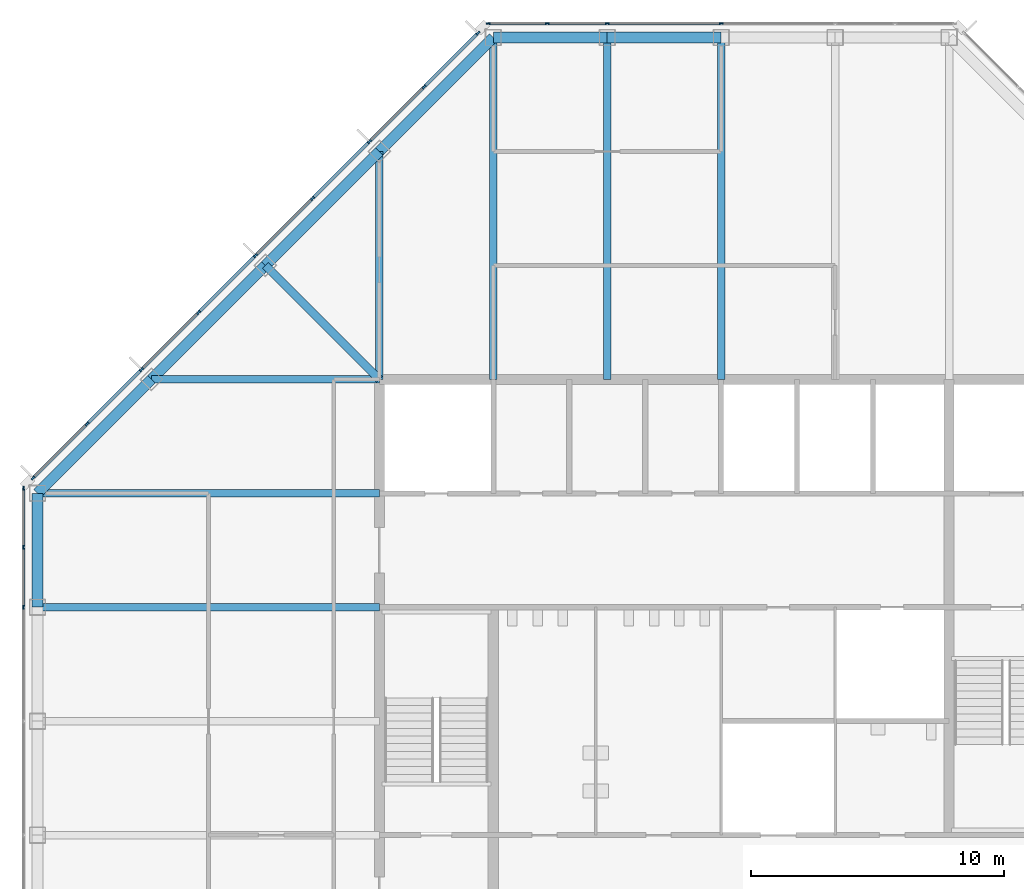
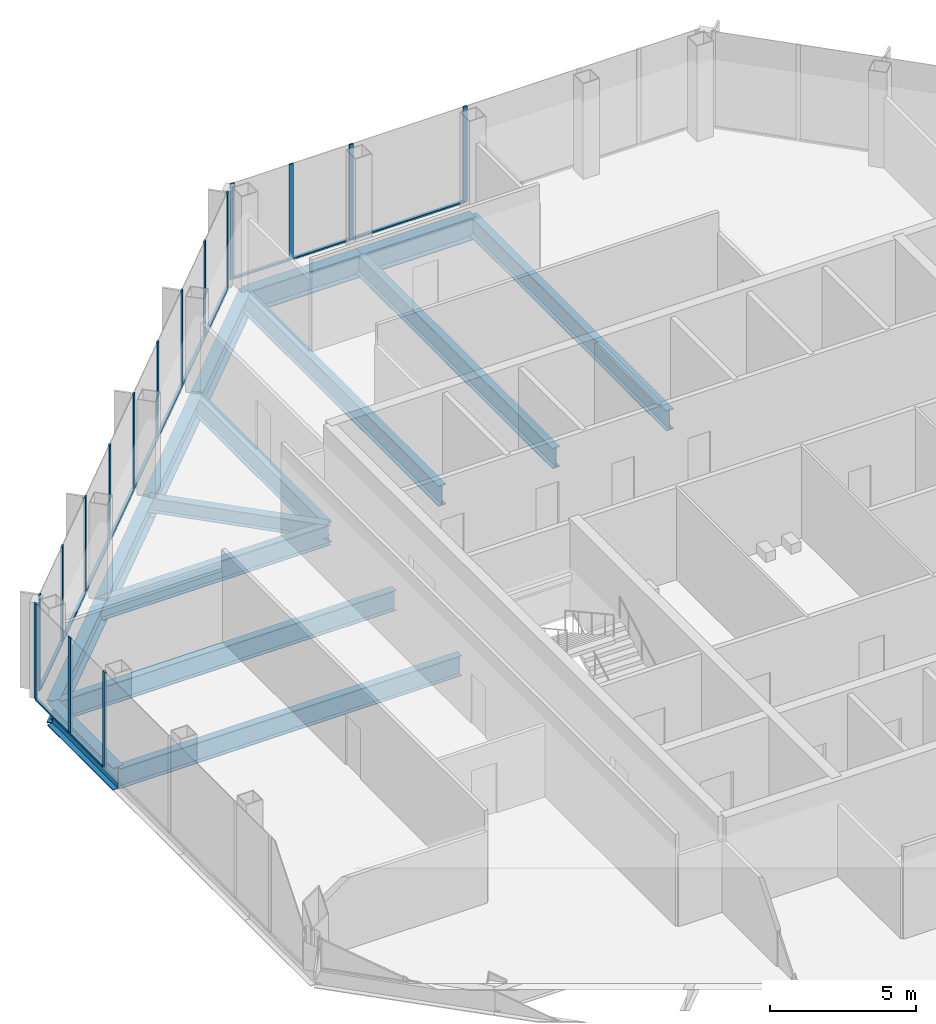
# One storey, part 6 of 13: 29 members, 15 beams, 3 elements without a shape of their own.
"""IFC4 building model written with IfcOpenShell, lengths in metres."""

from ifc_helpers import new_model, si_unit, direction, frame, origin, origin_2d, place, context, subcontext, project, spatial, rectangle, i_section, extrude, material, material_profile, profile_set, type_object, element, aggregate, save


model = new_model("IFC4")

# Units and contexts
model_context = context("Model", 3, precision=1e-05, world=origin(), true_north=direction((0.0, 1.0)))
body_context = subcontext(model_context, "Body", "Model", "MODEL_VIEW")
ifc_project = project(units=[si_unit("LENGTHUNIT", "METRE"), si_unit("AREAUNIT", "SQUARE_METRE"), si_unit("VOLUMEUNIT", "CUBIC_METRE"), si_unit("PLANEANGLEUNIT", "RADIAN"), si_unit("MASSUNIT", "GRAM", prefix="KILO")], contexts=[model_context])

# Site, building, storey
site_placement = place(None, origin())
site = spatial("IfcSite", under=ifc_project, at=site_placement, CompositionType="ELEMENT")
building_placement = place(site_placement, origin())
building = spatial("IfcBuilding", under=site, at=building_placement, Name="Corais Broadcast Tower", CompositionType="ELEMENT")
storey_placement = place(building_placement, frame((0.0, 0.0, 210.60009765625)))
storey = spatial("IfcBuildingStorey", under=building, at=storey_placement, Name="L48", CompositionType="ELEMENT", Elevation=210.60009765625)

# Beams
ifc_material_1 = material(Name="Steel ASTM A572 Grade 50", Category="steel")
ifc_material_profile_1 = material_profile(ifc_material_1, i_section(OverallWidth=0.323974609375, OverallDepth=0.611083984375, WebThickness=0.0126953125, FlangeThickness=0.01904296875, at=origin_2d()), Name="W610x155")
ifc_profile_set_1 = profile_set([ifc_material_profile_1], Name="Steel ASTM A572 Grade 50")
beam_type_1 = type_object("IfcBeamType", Name="Corner diagonal W610x155", PredefinedType="BEAM", material=ifc_profile_set_1)
beam_1_placement = place(storey_placement, frame((9.0, 45.0, -0.465576171875), z_axis=(0.707106781187, -0.707106781187, 0.0), x_axis=(0.707106781187, 0.707106781187, 0.0)))
element("IfcBeam", 1, at=beam_1_placement, inside=storey, type_object=beam_type_1, Name="B6 L/5 to K/6", PredefinedType="BEAM", context=body_context, shape_type="SweptSolid", body=[
    extrude(i_section(OverallWidth=0.323974609375, OverallDepth=0.611083984375, WebThickness=0.0126953125, FlangeThickness=0.01904296875, at=origin_2d()), origin(), (0.0, 0.0, 1.0), 6.364013671875),
])
ifc_material_2 = material(Name="Steel ASTM A572 Grade 50", Category="steel")
ifc_material_profile_2 = material_profile(ifc_material_2, i_section(OverallWidth=0.2939453125, OverallDepth=0.85107421875, WebThickness=0.01611328125, FlangeThickness=0.02685546875, at=origin_2d()), Name="W840x226")
ifc_profile_set_2 = profile_set([ifc_material_profile_2], Name="Steel ASTM A572 Grade 50")
beam_type_2 = type_object("IfcBeamType", Name="Floor beam W840x226", PredefinedType="BEAM", material=ifc_profile_set_2)
for number, where, z_axis, x_axis, name in (
    (2, (0.0, 31.5, -0.585693359375), (1.0, 0.0, 0.0), (0.0, 1.0, 0.0), "B1 H/3 to H/6"),
    (3, (0.0, 36.0, -0.585693359375), (1.0, 0.0, 0.0), (0.0, 1.0, 0.0), "B1 J/3 to J/6"),
):
    element("IfcBeam", number, at=place(storey_placement, frame(where, z_axis=z_axis, x_axis=x_axis)), inside=storey, type_object=beam_type_2, Name=name, PredefinedType="BEAM", context=body_context, shape_type="SweptSolid", body=[
        extrude(i_section(OverallWidth=0.2939453125, OverallDepth=0.85107421875, WebThickness=0.01611328125, FlangeThickness=0.02685546875, at=origin_2d()), origin(), (0.0, 0.0, 1.0), 13.5),
    ])
beam_2_placement = place(storey_placement, frame((13.5, 49.5, -0.585693359375), z_axis=(0.0, -1.0, 0.0), x_axis=(1.0, 0.0, 0.0)))
element("IfcBeam", 4, at=beam_2_placement, inside=storey, type_object=beam_type_2, Name="B1 M/6 to K/6", PredefinedType="BEAM", context=body_context, shape_type="SweptSolid", body=[
    extrude(i_section(OverallWidth=0.2939453125, OverallDepth=0.85107421875, WebThickness=0.01611328125, FlangeThickness=0.02685546875, at=origin_2d()), origin(), (0.0, 0.0, 1.0), 9.0),
])
for number, where, z_axis, x_axis, name in (
    (5, (18.0, 54.0, -0.585693359375), (0.0, -1.0, 0.0), (1.0, 0.0, 0.0), "B1 N/7 to K/7"),
    (6, (22.5, 54.0, -0.585693359375), (0.0, -1.0, 0.0), (1.0, 0.0, 0.0), "B1 N/8 to K/8"),
    (7, (27.0, 54.0, -0.585693359375), (0.0, -1.0, 0.0), (1.0, 0.0, 0.0), "B1 N/9 to K/9"),
):
    element("IfcBeam", number, at=place(storey_placement, frame(where, z_axis=z_axis, x_axis=x_axis)), inside=storey, type_object=beam_type_2, Name=name, PredefinedType="BEAM", context=body_context, shape_type="SweptSolid", body=[
        extrude(i_section(OverallWidth=0.2939453125, OverallDepth=0.85107421875, WebThickness=0.01611328125, FlangeThickness=0.02685546875, at=origin_2d()), origin(), (0.0, 0.0, 1.0), 13.5),
    ])
beam_3_placement = place(storey_placement, frame((4.5, 40.5, -0.585693359375), z_axis=(1.0, 0.0, 0.0), x_axis=(0.0, 1.0, 0.0)))
element("IfcBeam", 8, at=beam_3_placement, inside=storey, type_object=beam_type_2, Name="B1 K/4 to K/6", PredefinedType="BEAM", context=body_context, shape_type="SweptSolid", body=[
    extrude(i_section(OverallWidth=0.2939453125, OverallDepth=0.85107421875, WebThickness=0.01611328125, FlangeThickness=0.02685546875, at=origin_2d()), origin(), (0.0, 0.0, 1.0), 9.0),
])

# Curtain wall, members
ifc_material_3 = material(Name="Aluminium and glass", Category="aluminium")
curtain_wall_type = type_object("IfcCurtainWallType", Name="Unitised fritted curtain wall CW3", PredefinedType="NOTDEFINED", material=ifc_material_3)
curtain_wall_1_placement = place(storey_placement, origin())
curtain_wall_1 = element("IfcCurtainWall", 9, at=curtain_wall_1_placement, inside=storey, type_object=curtain_wall_type, Name="CW3 curtain wall L48 2", PredefinedType="NOTDEFINED")
ifc_material_4 = material(Name="Aluminium 6063-T6", Category="aluminium")
ifc_material_profile_3 = material_profile(ifc_material_4, rectangle(XDim=0.06494140625, YDim=0.159912109375, at=origin_2d()), Name="Mullion CW3 65x160")
ifc_profile_set_3 = profile_set([ifc_material_profile_3], Name="Aluminium 6063-T6")
member_type_1 = type_object("IfcMemberType", Name="Mullion CW3 65x160", PredefinedType="MULLION", material=ifc_profile_set_3)
member_1_placement = place(storey_placement, frame((-0.550048828125, 31.5, 0.0), z_axis=(0.0, 0.0, 1.0), x_axis=(-1.0, 0.0, 0.0)))
member_1 = element("IfcMember", 10, at=member_1_placement, type_object=member_type_1, Name="CW3 mullion 5", PredefinedType="MULLION", context=body_context, shape_type="SweptSolid", body=[
    extrude(rectangle(XDim=0.06494140625, YDim=0.159912109375, at=origin_2d()), origin(), (0.0, 0.0, 1.0), 4.0),
])
member_2_placement = place(storey_placement, frame((-0.550048828125, 33.864013671875, 0.0), z_axis=(0.0, 0.0, 1.0), x_axis=(-1.0, 0.0, 0.0)))
member_2 = element("IfcMember", 11, at=member_2_placement, type_object=member_type_1, Name="CW3 mullion 6", PredefinedType="MULLION", context=body_context, shape_type="SweptSolid", body=[
    extrude(rectangle(XDim=0.06494140625, YDim=0.159912109375, at=origin_2d()), origin(), (0.0, 0.0, 1.0), 4.0),
])
member_3_placement = place(storey_placement, frame((-0.550048828125, 36.1953125, 0.0), z_axis=(0.0, 0.0, 1.0), x_axis=(-1.0, 0.0, 0.0)))
member_3 = element("IfcMember", 12, at=member_3_placement, type_object=member_type_1, Name="CW3 mullion 7", PredefinedType="MULLION", context=body_context, shape_type="SweptSolid", body=[
    extrude(rectangle(XDim=0.06494140625, YDim=0.159912109375, at=origin_2d()), origin(), (0.0, 0.0, 1.0), 4.0),
])

curtain_wall_2_placement = place(storey_placement, origin())
curtain_wall_2 = element("IfcCurtainWall", 13, at=curtain_wall_2_placement, inside=storey, type_object=curtain_wall_type, Name="CW3 curtain wall L48 3", PredefinedType="NOTDEFINED")
member_4_placement = place(storey_placement, frame((-0.17333984375, 36.6044921875, 0.0), z_axis=(0.0, 0.0, 1.0), x_axis=(-0.707106781187, 0.707106781187, 0.0)))
member_4 = element("IfcMember", 14, at=member_4_placement, type_object=member_type_1, Name="CW3 mullion 1", PredefinedType="MULLION", context=body_context, shape_type="SweptSolid", body=[
    extrude(rectangle(XDim=0.06494140625, YDim=0.159912109375, at=origin_2d()), origin(), (0.0, 0.0, 1.0), 4.0),
])
member_5_placement = place(storey_placement, frame((1.957275390625, 38.735107421875, 0.0), z_axis=(0.0, 0.0, 1.0), x_axis=(-0.707106781187, 0.707106781187, 0.0)))
member_5 = element("IfcMember", 15, at=member_5_placement, type_object=member_type_1, Name="CW3 mullion 2", PredefinedType="MULLION", context=body_context, shape_type="SweptSolid", body=[
    extrude(rectangle(XDim=0.06494140625, YDim=0.159912109375, at=origin_2d()), origin(), (0.0, 0.0, 1.0), 4.0),
])
member_6_placement = place(storey_placement, frame((4.111083984375, 40.888916015625, 0.0), z_axis=(0.0, 0.0, 1.0), x_axis=(-0.707106781187, 0.707106781187, 0.0)))
member_6 = element("IfcMember", 16, at=member_6_placement, type_object=member_type_1, Name="CW3 mullion 3", PredefinedType="MULLION", context=body_context, shape_type="SweptSolid", body=[
    extrude(rectangle(XDim=0.06494140625, YDim=0.159912109375, at=origin_2d()), origin(), (0.0, 0.0, 1.0), 4.0),
])
member_7_placement = place(storey_placement, frame((6.361083984375, 43.138916015625, 0.0), z_axis=(0.0, 0.0, 1.0), x_axis=(-0.707106781187, 0.707106781187, 0.0)))
member_7 = element("IfcMember", 17, at=member_7_placement, type_object=member_type_1, Name="CW3 mullion 4", PredefinedType="MULLION", context=body_context, shape_type="SweptSolid", body=[
    extrude(rectangle(XDim=0.06494140625, YDim=0.159912109375, at=origin_2d()), origin(), (0.0, 0.0, 1.0), 4.0),
])
member_8_placement = place(storey_placement, frame((8.611083984375, 45.388916015625, 0.0), z_axis=(0.0, 0.0, 1.0), x_axis=(-0.707106781187, 0.707106781187, 0.0)))
member_8 = element("IfcMember", 18, at=member_8_placement, type_object=member_type_1, Name="CW3 mullion 5", PredefinedType="MULLION", context=body_context, shape_type="SweptSolid", body=[
    extrude(rectangle(XDim=0.06494140625, YDim=0.159912109375, at=origin_2d()), origin(), (0.0, 0.0, 1.0), 4.0),
])
member_9_placement = place(storey_placement, frame((10.861083984375, 47.638916015625, 0.0), z_axis=(0.0, 0.0, 1.0), x_axis=(-0.707106781187, 0.707106781187, 0.0)))
member_9 = element("IfcMember", 19, at=member_9_placement, type_object=member_type_1, Name="CW3 mullion 6", PredefinedType="MULLION", context=body_context, shape_type="SweptSolid", body=[
    extrude(rectangle(XDim=0.06494140625, YDim=0.159912109375, at=origin_2d()), origin(), (0.0, 0.0, 1.0), 4.0),
])
member_10_placement = place(storey_placement, frame((13.111083984375, 49.888916015625, 0.0), z_axis=(0.0, 0.0, 1.0), x_axis=(-0.707106781187, 0.707106781187, 0.0)))
member_10 = element("IfcMember", 20, at=member_10_placement, type_object=member_type_1, Name="CW3 mullion 7", PredefinedType="MULLION", context=body_context, shape_type="SweptSolid", body=[
    extrude(rectangle(XDim=0.06494140625, YDim=0.159912109375, at=origin_2d()), origin(), (0.0, 0.0, 1.0), 4.0),
])
member_11_placement = place(storey_placement, frame((15.264892578125, 52.042724609375, 0.0), z_axis=(0.0, 0.0, 1.0), x_axis=(-0.707106781187, 0.707106781187, 0.0)))
member_11 = element("IfcMember", 21, at=member_11_placement, type_object=member_type_1, Name="CW3 mullion 8", PredefinedType="MULLION", context=body_context, shape_type="SweptSolid", body=[
    extrude(rectangle(XDim=0.06494140625, YDim=0.159912109375, at=origin_2d()), origin(), (0.0, 0.0, 1.0), 4.0),
])
member_12_placement = place(storey_placement, frame((17.3955078125, 54.17333984375, 0.0), z_axis=(0.0, 0.0, 1.0), x_axis=(-0.707106781187, 0.707106781187, 0.0)))
member_12 = element("IfcMember", 22, at=member_12_placement, type_object=member_type_1, Name="CW3 mullion 9", PredefinedType="MULLION", context=body_context, shape_type="SweptSolid", body=[
    extrude(rectangle(XDim=0.06494140625, YDim=0.159912109375, at=origin_2d()), origin(), (0.0, 0.0, 1.0), 4.0),
])

curtain_wall_3_placement = place(storey_placement, origin())
curtain_wall_3 = element("IfcCurtainWall", 23, at=curtain_wall_3_placement, inside=storey, type_object=curtain_wall_type, Name="CW3 curtain wall L48 4", PredefinedType="NOTDEFINED")
member_13_placement = place(storey_placement, frame((17.8046875, 54.550048828125, 0.0), z_axis=(0.0, 0.0, 1.0), x_axis=(0.0, 1.0, 0.0)))
member_13 = element("IfcMember", 24, at=member_13_placement, type_object=member_type_1, Name="CW3 mullion 1", PredefinedType="MULLION", context=body_context, shape_type="SweptSolid", body=[
    extrude(rectangle(XDim=0.06494140625, YDim=0.159912109375, at=origin_2d()), origin(), (0.0, 0.0, 1.0), 4.0),
])
member_14_placement = place(storey_placement, frame((20.135986328125, 54.550048828125, 0.0), z_axis=(0.0, 0.0, 1.0), x_axis=(0.0, 1.0, 0.0)))
member_14 = element("IfcMember", 25, at=member_14_placement, type_object=member_type_1, Name="CW3 mullion 2", PredefinedType="MULLION", context=body_context, shape_type="SweptSolid", body=[
    extrude(rectangle(XDim=0.06494140625, YDim=0.159912109375, at=origin_2d()), origin(), (0.0, 0.0, 1.0), 4.0),
])
member_15_placement = place(storey_placement, frame((22.5, 54.550048828125, 0.0), z_axis=(0.0, 0.0, 1.0), x_axis=(0.0, 1.0, 0.0)))
member_15 = element("IfcMember", 26, at=member_15_placement, type_object=member_type_1, Name="CW3 mullion 3", PredefinedType="MULLION", context=body_context, shape_type="SweptSolid", body=[
    extrude(rectangle(XDim=0.06494140625, YDim=0.159912109375, at=origin_2d()), origin(), (0.0, 0.0, 1.0), 4.0),
])
member_16_placement = place(storey_placement, frame((27.0, 54.550048828125, 0.0), z_axis=(0.0, 0.0, 1.0), x_axis=(0.0, 1.0, 0.0)))
member_16 = element("IfcMember", 27, at=member_16_placement, type_object=member_type_1, Name="CW3 mullion 4", PredefinedType="MULLION", context=body_context, shape_type="SweptSolid", body=[
    extrude(rectangle(XDim=0.06494140625, YDim=0.159912109375, at=origin_2d()), origin(), (0.0, 0.0, 1.0), 4.0),
])

# Beams
ifc_material_5 = material(Name="Steel ASTM A572 Grade 50", Category="steel")
ifc_material_profile_4 = material_profile(ifc_material_5, i_section(OverallWidth=0.4189453125, OverallDepth=0.94189453125, WebThickness=0.022216796875, FlangeThickness=0.03662109375, at=origin_2d()), Name="W920x345")
ifc_profile_set_4 = profile_set([ifc_material_profile_4], Name="Steel ASTM A572 Grade 50")
beam_type_3 = type_object("IfcBeamType", Name="Transfer spandrel W920x345", PredefinedType="BEAM", material=ifc_profile_set_4)
beam_4_placement = place(storey_placement, frame((0.0, 36.0, -0.631103515625), z_axis=(0.0, -1.0, 0.0), x_axis=(1.0, 0.0, 0.0)))
element("IfcBeam", 28, at=beam_4_placement, inside=storey, type_object=beam_type_3, Name="SB4 J/3 to H/3", PredefinedType="BEAM", context=body_context, shape_type="SweptSolid", body=[
    extrude(i_section(OverallWidth=0.4189453125, OverallDepth=0.94189453125, WebThickness=0.022216796875, FlangeThickness=0.03662109375, at=origin_2d()), origin(), (0.0, 0.0, 1.0), 4.5),
])
for number, where, z_axis, x_axis, name in (
    (29, (13.5, 49.5, -0.631103515625), (-0.707106781187, -0.707106781187, 0.0), (0.707106781187, -0.707106781187, 0.0), "SB4 M/6 to L/5"),
    (30, (18.0, 54.0, -0.631103515625), (-0.707106781187, -0.707106781187, 0.0), (0.707106781187, -0.707106781187, 0.0), "SB4 N/7 to M/6"),
):
    element("IfcBeam", number, at=place(storey_placement, frame(where, z_axis=z_axis, x_axis=x_axis)), inside=storey, type_object=beam_type_3, Name=name, PredefinedType="BEAM", context=body_context, shape_type="SweptSolid", body=[
        extrude(i_section(OverallWidth=0.4189453125, OverallDepth=0.94189453125, WebThickness=0.022216796875, FlangeThickness=0.03662109375, at=origin_2d()), origin(), (0.0, 0.0, 1.0), 6.364013671875),
    ])
for number, where, z_axis, x_axis, name in (
    (31, (22.5, 54.0, -0.631103515625), (-1.0, 0.0, 0.0), (0.0, -1.0, 0.0), "SB4 N/8 to N/7"),
    (32, (27.0, 54.0, -0.631103515625), (-1.0, 0.0, 0.0), (0.0, -1.0, 0.0), "SB4 N/9 to N/8"),
):
    element("IfcBeam", number, at=place(storey_placement, frame(where, z_axis=z_axis, x_axis=x_axis)), inside=storey, type_object=beam_type_3, Name=name, PredefinedType="BEAM", context=body_context, shape_type="SweptSolid", body=[
        extrude(i_section(OverallWidth=0.4189453125, OverallDepth=0.94189453125, WebThickness=0.022216796875, FlangeThickness=0.03662109375, at=origin_2d()), origin(), (0.0, 0.0, 1.0), 4.5),
    ])
for number, where, z_axis, x_axis, name in (
    (33, (4.5, 40.5, -0.631103515625), (-0.707106781187, -0.707106781187, 0.0), (0.707106781187, -0.707106781187, 0.0), "SB4 K/4 to J/3"),
    (34, (9.0, 45.0, -0.631103515625), (-0.707106781187, -0.707106781187, 0.0), (0.707106781187, -0.707106781187, 0.0), "SB4 L/5 to K/4"),
):
    element("IfcBeam", number, at=place(storey_placement, frame(where, z_axis=z_axis, x_axis=x_axis)), inside=storey, type_object=beam_type_3, Name=name, PredefinedType="BEAM", context=body_context, shape_type="SweptSolid", body=[
        extrude(i_section(OverallWidth=0.4189453125, OverallDepth=0.94189453125, WebThickness=0.022216796875, FlangeThickness=0.03662109375, at=origin_2d()), origin(), (0.0, 0.0, 1.0), 6.364013671875),
    ])

# Member
ifc_material_6 = material(Name="Aluminium 6063-T6", Category="aluminium")
ifc_material_profile_5 = material_profile(ifc_material_6, rectangle(XDim=0.1201171875, YDim=0.06494140625, at=origin_2d()), Name="Transom CW3 65x120")
ifc_profile_set_5 = profile_set([ifc_material_profile_5], Name="Aluminium 6063-T6")
member_type_2 = type_object("IfcMemberType", Name="Transom CW3 65x120", PredefinedType="USERDEFINED", material=ifc_profile_set_5)
member_17_placement = place(storey_placement, frame((-0.550048828125, 31.532470703125, 0.032470703125), z_axis=(0.0, 1.0, 0.0), x_axis=(-1.0, 0.0, 0.0)))
member_17 = element("IfcMember", 35, at=member_17_placement, type_object=member_type_2, Name="CW3 transom 5.1", ObjectType="TRANSOM", PredefinedType="USERDEFINED", context=body_context, shape_type="SweptSolid", body=[
    extrude(rectangle(XDim=0.1201171875, YDim=0.06494140625, at=origin_2d()), origin(), (0.0, 0.0, 1.0), 2.298828125),
])

member_18_placement = place(storey_placement, frame((-0.550048828125, 33.896484375, 0.032470703125), z_axis=(0.0, 1.0, 0.0), x_axis=(-1.0, 0.0, 0.0)))
member_18 = element("IfcMember", 36, at=member_18_placement, type_object=member_type_2, Name="CW3 transom 6.1", ObjectType="TRANSOM", PredefinedType="USERDEFINED", context=body_context, shape_type="SweptSolid", body=[
    extrude(rectangle(XDim=0.1201171875, YDim=0.06494140625, at=origin_2d()), origin(), (0.0, 0.0, 1.0), 2.266357421875),
])

aggregate(curtain_wall_1, [member_1, member_2, member_3, member_17, member_18])

member_19_placement = place(storey_placement, frame((-0.150390625, 36.62744140625, 0.032470703125), z_axis=(0.707106781187, 0.707106781187, 0.0), x_axis=(-0.707106781187, 0.707106781187, 0.0)))
member_19 = element("IfcMember", 37, at=member_19_placement, type_object=member_type_2, Name="CW3 transom 1.1", ObjectType="TRANSOM", PredefinedType="USERDEFINED", context=body_context, shape_type="SweptSolid", body=[
    extrude(rectangle(XDim=0.1201171875, YDim=0.06494140625, at=origin_2d()), origin(), (0.0, 0.0, 1.0), 2.9482421875),
])

member_20_placement = place(storey_placement, frame((1.980224609375, 38.758056640625, 0.032470703125), z_axis=(0.707106781187, 0.707106781187, 0.0), x_axis=(-0.707106781187, 0.707106781187, 0.0)))
member_20 = element("IfcMember", 38, at=member_20_placement, type_object=member_type_2, Name="CW3 transom 2.1", ObjectType="TRANSOM", PredefinedType="USERDEFINED", context=body_context, shape_type="SweptSolid", body=[
    extrude(rectangle(XDim=0.1201171875, YDim=0.06494140625, at=origin_2d()), origin(), (0.0, 0.0, 1.0), 2.98095703125),
])

member_21_placement = place(storey_placement, frame((4.134033203125, 40.911865234375, 0.032470703125), z_axis=(0.707106781187, 0.707106781187, 0.0), x_axis=(-0.707106781187, 0.707106781187, 0.0)))
member_21 = element("IfcMember", 39, at=member_21_placement, type_object=member_type_2, Name="CW3 transom 3.1", ObjectType="TRANSOM", PredefinedType="USERDEFINED", context=body_context, shape_type="SweptSolid", body=[
    extrude(rectangle(XDim=0.1201171875, YDim=0.06494140625, at=origin_2d()), origin(), (0.0, 0.0, 1.0), 3.1171875),
])

member_22_placement = place(storey_placement, frame((6.384033203125, 43.161865234375, 0.032470703125), z_axis=(0.707106781187, 0.707106781187, 0.0), x_axis=(-0.707106781187, 0.707106781187, 0.0)))
member_22 = element("IfcMember", 40, at=member_22_placement, type_object=member_type_2, Name="CW3 transom 4.1", ObjectType="TRANSOM", PredefinedType="USERDEFINED", context=body_context, shape_type="SweptSolid", body=[
    extrude(rectangle(XDim=0.1201171875, YDim=0.06494140625, at=origin_2d()), origin(), (0.0, 0.0, 1.0), 3.1171875),
])

member_23_placement = place(storey_placement, frame((8.634033203125, 45.411865234375, 0.032470703125), z_axis=(0.707106781187, 0.707106781187, 0.0), x_axis=(-0.707106781187, 0.707106781187, 0.0)))
member_23 = element("IfcMember", 41, at=member_23_placement, type_object=member_type_2, Name="CW3 transom 5.1", ObjectType="TRANSOM", PredefinedType="USERDEFINED", context=body_context, shape_type="SweptSolid", body=[
    extrude(rectangle(XDim=0.1201171875, YDim=0.06494140625, at=origin_2d()), origin(), (0.0, 0.0, 1.0), 3.1171875),
])

member_24_placement = place(storey_placement, frame((10.884033203125, 47.661865234375, 0.032470703125), z_axis=(0.707106781187, 0.707106781187, 0.0), x_axis=(-0.707106781187, 0.707106781187, 0.0)))
member_24 = element("IfcMember", 42, at=member_24_placement, type_object=member_type_2, Name="CW3 transom 6.1", ObjectType="TRANSOM", PredefinedType="USERDEFINED", context=body_context, shape_type="SweptSolid", body=[
    extrude(rectangle(XDim=0.1201171875, YDim=0.06494140625, at=origin_2d()), origin(), (0.0, 0.0, 1.0), 3.1171875),
])

member_25_placement = place(storey_placement, frame((13.134033203125, 49.911865234375, 0.032470703125), z_axis=(0.70714773134, 0.707065828661, 0.0), x_axis=(-0.707065828661, 0.70714773134, 0.0)))
member_25 = element("IfcMember", 43, at=member_25_placement, type_object=member_type_2, Name="CW3 transom 7.1", ObjectType="TRANSOM", PredefinedType="USERDEFINED", context=body_context, shape_type="SweptSolid", body=[
    extrude(rectangle(XDim=0.1201171875, YDim=0.06494140625, at=origin_2d()), origin(), (0.0, 0.0, 1.0), 2.98095703125),
])

member_26_placement = place(storey_placement, frame((15.287841796875, 52.065673828125, 0.032470703125), z_axis=(0.707106781187, 0.707106781187, 0.0), x_axis=(-0.707106781187, 0.707106781187, 0.0)))
member_26 = element("IfcMember", 44, at=member_26_placement, type_object=member_type_2, Name="CW3 transom 8.1", ObjectType="TRANSOM", PredefinedType="USERDEFINED", context=body_context, shape_type="SweptSolid", body=[
    extrude(rectangle(XDim=0.1201171875, YDim=0.06494140625, at=origin_2d()), origin(), (0.0, 0.0, 1.0), 2.9482421875),
])

aggregate(curtain_wall_2, [member_4, member_5, member_6, member_7, member_8, member_9, member_10, member_11, member_12, member_19, member_20, member_21, member_22, member_23, member_24, member_25, member_26])

member_27_placement = place(storey_placement, frame((17.837158203125, 54.550048828125, 0.032470703125), z_axis=(1.0, 0.0, 0.0), x_axis=(0.0, 1.0, 0.0)))
member_27 = element("IfcMember", 45, at=member_27_placement, type_object=member_type_2, Name="CW3 transom 1.1", ObjectType="TRANSOM", PredefinedType="USERDEFINED", context=body_context, shape_type="SweptSolid", body=[
    extrude(rectangle(XDim=0.1201171875, YDim=0.06494140625, at=origin_2d()), origin(), (0.0, 0.0, 1.0), 2.266357421875),
])

member_28_placement = place(storey_placement, frame((20.168701171875, 54.550048828125, 0.032470703125), z_axis=(1.0, 0.0, 0.0), x_axis=(0.0, 1.0, 0.0)))
member_28 = element("IfcMember", 46, at=member_28_placement, type_object=member_type_2, Name="CW3 transom 2.1", ObjectType="TRANSOM", PredefinedType="USERDEFINED", context=body_context, shape_type="SweptSolid", body=[
    extrude(rectangle(XDim=0.1201171875, YDim=0.06494140625, at=origin_2d()), origin(), (0.0, 0.0, 1.0), 2.298828125),
])

member_29_placement = place(storey_placement, frame((22.532470703125, 54.550048828125, 0.032470703125), z_axis=(1.0, 0.0, 0.0), x_axis=(0.0, 1.0, 0.0)))
member_29 = element("IfcMember", 47, at=member_29_placement, type_object=member_type_2, Name="CW3 transom 3.1", ObjectType="TRANSOM", PredefinedType="USERDEFINED", context=body_context, shape_type="SweptSolid", body=[
    extrude(rectangle(XDim=0.1201171875, YDim=0.06494140625, at=origin_2d()), origin(), (0.0, 0.0, 1.0), 4.43505859375),
])

aggregate(curtain_wall_3, [member_13, member_14, member_15, member_16, member_27, member_28, member_29])

save(model, "model.ifc")
